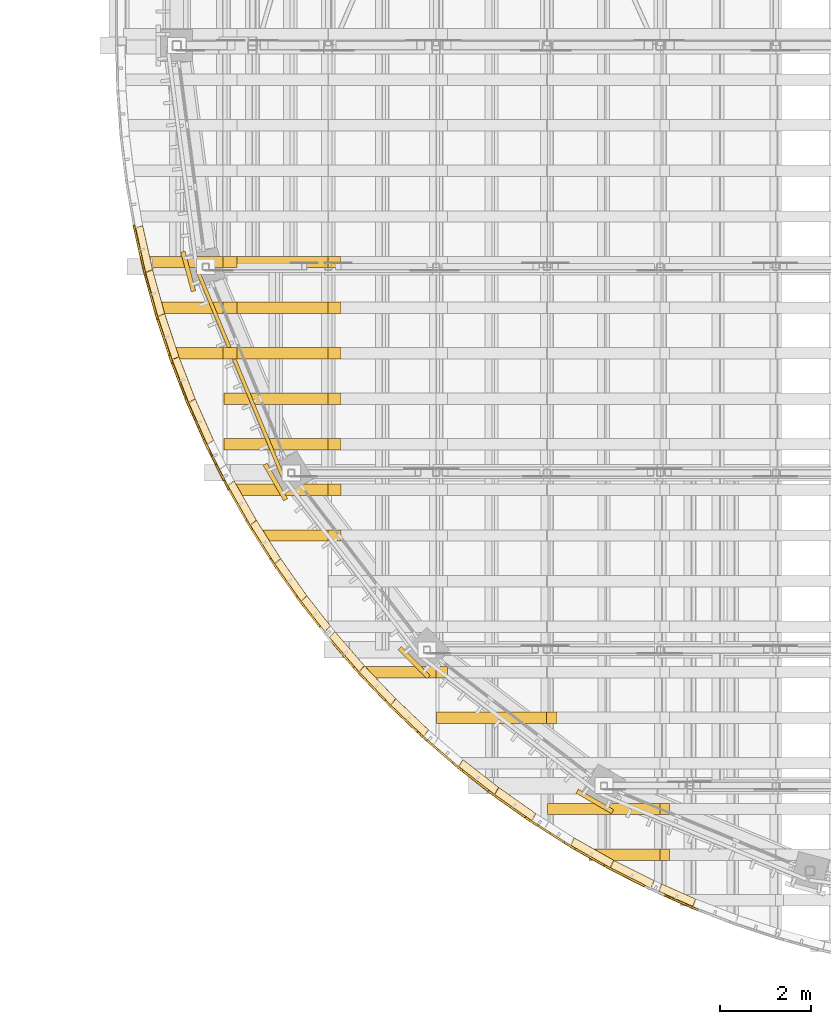
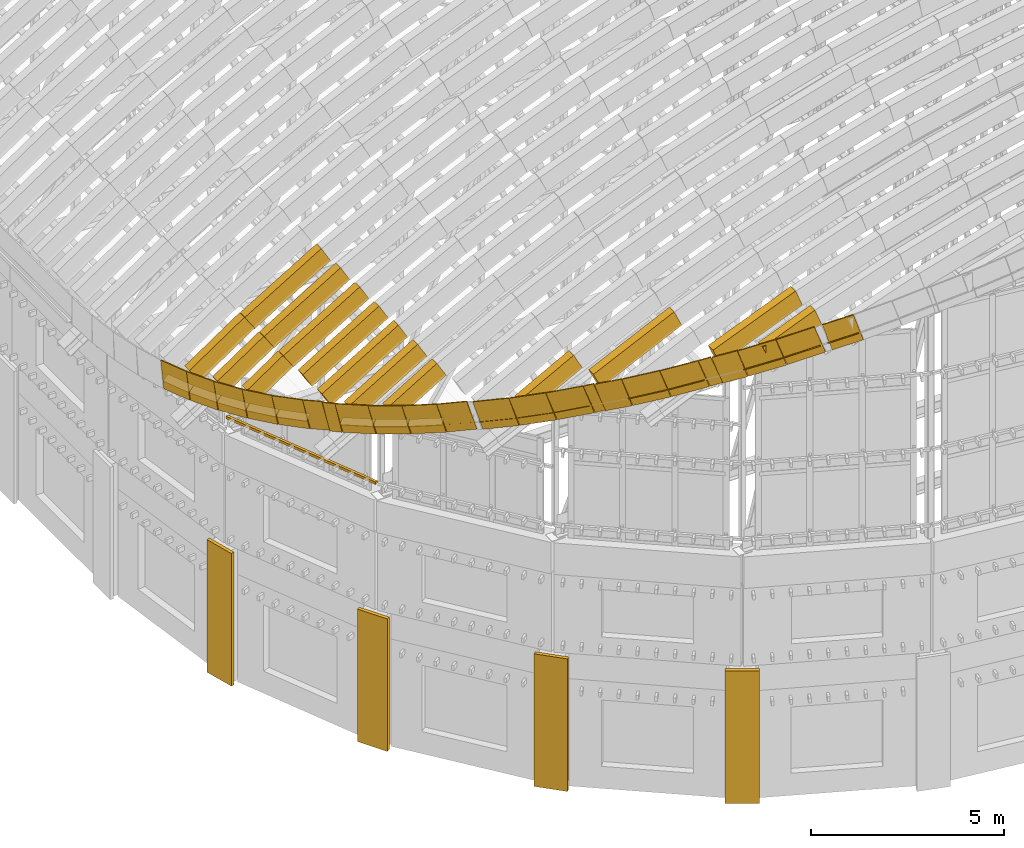
# One storey, part 83 of 105: 59 coverings.
"""IFC4 building model written with IfcOpenShell, lengths in metres."""

from ifc_helpers import new_model, si_unit, direction, frame, origin, origin_2d, place, context, subcontext, project, spatial, polyline, rectangle, outline, extrude, material, layer, layer_set, material_profile, profile_set, type_object, element, save


model = new_model("IFC4")

# Units and contexts
model_context = context("Model", 3, precision=1e-05, world=origin(), true_north=direction((0.0, 1.0)))
body_context = subcontext(model_context, "Body", "Model", "MODEL_VIEW")
ifc_project = project(units=[si_unit("LENGTHUNIT", "METRE"), si_unit("AREAUNIT", "SQUARE_METRE"), si_unit("VOLUMEUNIT", "CUBIC_METRE"), si_unit("PLANEANGLEUNIT", "RADIAN"), si_unit("MASSUNIT", "GRAM", prefix="KILO")], contexts=[model_context])

# Site, building, storey
site_placement = place(None, origin())
site = spatial("IfcSite", under=ifc_project, at=site_placement, CompositionType="ELEMENT")
building_placement = place(site_placement, origin())
building = spatial("IfcBuilding", under=site, at=building_placement, Name="Wasatch Bagh Community Centre", CompositionType="ELEMENT")
storey_placement = place(building_placement, frame((0.0, 0.0, 16.800048828125)))
storey = spatial("IfcBuildingStorey", under=building, at=storey_placement, Name="L04", CompositionType="ELEMENT", Elevation=16.800048828125)

# Coverings
ifc_material_1 = material(Name="White precast concrete C40/50", Category="concrete")
ifc_layer = layer(ifc_material_1, 0.10009765625)
ifc_layer_set = layer_set([ifc_layer], Name="White precast concrete C40/50")
covering_type_1 = type_object("IfcCoveringType", Name="MH column casing", PredefinedType="CLADDING", material=ifc_layer_set)
for number, where, z_axis, x_axis, name in (
    (1, (17.50244140625, 30.043701171875, 0.0), (0.0, 0.0, 1.0), (0.258819045103, -0.965925826289, 0.0), "Column casing S1 L04"),
    (2, (19.41552734375, 25.425048828125, 0.0), (0.0, 0.0, 1.0), (0.5, -0.866025403784, 0.0), "Column casing S2 L04"),
    (3, (22.458984375, 21.458984375, 0.0), (0.0, 0.0, 1.0), (0.707106781187, -0.707106781187, 0.0), "Column casing S3 L04"),
    (4, (26.425048828125, 18.41552734375, 0.0), (0.0, 0.0, 1.0), (0.866025403784, -0.5, 0.0), "Column casing S4 L04"),
):
    element("IfcCovering", number, at=place(storey_placement, frame(where, z_axis=z_axis, x_axis=x_axis)), inside=storey, type_object=covering_type_1, Name=name, PredefinedType="CLADDING", context=body_context, shape_type="SweptSolid", body=[
        extrude(rectangle(XDim=0.89990234375, YDim=0.10009765625, at=origin_2d()), origin(), (0.0, 0.0, 1.0), 4.199951171875),
    ])
ifc_material_2 = material(Name="ASTM A653 Grade 50 steel, zinc-aluminium coated", Category="steel")
ifc_material_profile_1 = material_profile(ifc_material_2, outline(polyline([(-0.080078125, 0.0029296875), (0.152099609375, 0.0029296875), (0.152099609375, -0.031982421875), (0.14892578125, -0.031982421875), (0.14892578125, 0.0), (-0.080078125, 0.0), (-0.080078125, 0.0029296875)])), Name="DRIP EDGE")
ifc_profile_set_1 = profile_set([ifc_material_profile_1], Name="ASTM A653 Grade 50 steel, zinc-aluminium coated")
covering_type_2 = type_object("IfcCoveringType", Name="MH drip edge", PredefinedType="CLADDING", material=ifc_profile_set_1)
covering_1_placement = place(storey_placement, frame((28.60888671875, 16.20068359375, 15.577392578125), z_axis=(-0.871019461366, 0.38601026244, -0.303843998151), x_axis=(-0.364460424626, -0.922494485848, -0.127171232836)))
element("IfcCovering", 5, at=covering_1_placement, inside=storey, type_object=covering_type_2, Name="Drip edge 49", PredefinedType="CLADDING", context=body_context, shape_type="SweptSolid", body=[
    extrude(outline(polyline([(-0.080078125, 0.0029296875), (0.152099609375, 0.0029296875), (0.152099609375, -0.031982421875), (0.14892578125, -0.031982421875), (0.14892578125, 0.0), (-0.080078125, 0.0), (-0.080078125, 0.0029296875)])), origin(), (0.0, 0.0, 1.0), 0.855712890625),
])
covering_2_placement = place(storey_placement, frame((27.69580078125, 16.60546875, 15.258544921875), z_axis=(-0.839190144001, 0.422603751502, -0.342295152504), x_axis=(-0.391326554379, -0.906314551576, -0.159553945233)))
element("IfcCovering", 6, at=covering_2_placement, inside=storey, type_object=covering_type_2, Name="Drip edge 51", PredefinedType="CLADDING", context=body_context, shape_type="SweptSolid", body=[
    extrude(outline(polyline([(-0.080078125, 0.0029296875), (0.152099609375, 0.0029296875), (0.152099609375, -0.031982421875), (0.14892578125, -0.031982421875), (0.14892578125, 0.0), (-0.080078125, 0.0), (-0.080078125, 0.0029296875)])), origin(), (0.0, 0.0, 1.0), 1.054931640625),
])
covering_3_placement = place(storey_placement, frame((26.8037109375, 17.0546875, 14.894775390625), z_axis=(-0.819855762659, 0.464708730703, -0.334488152319), x_axis=(-0.430320557646, -0.885463598865, -0.17543783159)))
element("IfcCovering", 7, at=covering_3_placement, inside=storey, type_object=covering_type_2, Name="Drip edge 52", PredefinedType="CLADDING", context=body_context, shape_type="SweptSolid", body=[
    extrude(outline(polyline([(-0.080078125, 0.0029296875), (0.152099609375, 0.0029296875), (0.152099609375, -0.031982421875), (0.14892578125, -0.031982421875), (0.14892578125, 0.0), (-0.080078125, 0.0), (-0.080078125, 0.0029296875)])), origin(), (0.0, 0.0, 1.0), 1.0517578125),
])
covering_4_placement = place(storey_placement, frame((25.091064453125, 18.081787109375, 14.189697265625), z_axis=(-0.763349348371, 0.537563486895, -0.358222374928), x_axis=(-0.486598613693, -0.843223273981, -0.228465094421)))
element("IfcCovering", 8, at=covering_4_placement, inside=storey, type_object=covering_type_2, Name="Drip edge 55", PredefinedType="CLADDING", context=body_context, shape_type="SweptSolid", body=[
    extrude(outline(polyline([(-0.080078125, 0.0029296875), (0.152099609375, 0.0029296875), (0.152099609375, -0.031982421875), (0.14892578125, -0.031982421875), (0.14892578125, 0.0), (-0.080078125, 0.0), (-0.080078125, 0.0029296875)])), origin(), (0.0, 0.0, 1.0), 1.061767578125),
])
covering_5_placement = place(storey_placement, frame((24.274658203125, 18.656982421875, 13.806396484375), z_axis=(-0.739329705294, 0.576958951523, -0.347145438006), x_axis=(-0.522263505148, -0.816773143481, -0.245198823975)))
element("IfcCovering", 9, at=covering_5_placement, inside=storey, type_object=covering_type_2, Name="Drip edge 56", PredefinedType="CLADDING", context=body_context, shape_type="SweptSolid", body=[
    extrude(outline(polyline([(-0.080078125, 0.0029296875), (0.152099609375, 0.0029296875), (0.152099609375, -0.031982421875), (0.14892578125, -0.031982421875), (0.14892578125, 0.0), (-0.080078125, 0.0), (-0.080078125, 0.0029296875)])), origin(), (0.0, 0.0, 1.0), 1.05712890625),
])
covering_6_placement = place(storey_placement, frame((22.73095703125, 19.92431640625, 13.0810546875), z_axis=(-0.675398221012, 0.643236400964, -0.360671839112), x_axis=(-0.567401447091, -0.765667638388, -0.302999447795)))
element("IfcCovering", 10, at=covering_6_placement, inside=storey, type_object=covering_type_2, Name="Drip edge 59", PredefinedType="CLADDING", context=body_context, shape_type="SweptSolid", body=[
    extrude(outline(polyline([(-0.080078125, 0.0029296875), (0.152099609375, 0.0029296875), (0.152099609375, -0.031982421875), (0.14892578125, -0.031982421875), (0.14892578125, 0.0), (-0.080078125, 0.0), (-0.080078125, 0.0029296875)])), origin(), (0.0, 0.0, 1.0), 1.062744140625),
])
covering_7_placement = place(storey_placement, frame((22.0078125, 20.613037109375, 12.69482421875), z_axis=(-0.647020682228, 0.679602795155, -0.345693907362), x_axis=(-0.599453853846, -0.733580286429, -0.32017970028)))
element("IfcCovering", 11, at=covering_7_placement, inside=storey, type_object=covering_type_2, Name="Drip edge 60", PredefinedType="CLADDING", context=body_context, shape_type="SweptSolid", body=[
    extrude(outline(polyline([(-0.080078125, 0.0029296875), (0.152099609375, 0.0029296875), (0.152099609375, -0.031982421875), (0.14892578125, -0.031982421875), (0.14892578125, 0.0), (-0.080078125, 0.0), (-0.080078125, 0.0029296875)])), origin(), (0.0, 0.0, 1.0), 1.056640625),
])
covering_8_placement = place(storey_placement, frame((21.319091796875, 21.336669921875, 12.326904296875), z_axis=(-0.616783616092, 0.714929425289, -0.329323378728), x_axis=(-0.630602149034, -0.699196616809, -0.336845692678)))
element("IfcCovering", 12, at=covering_8_placement, inside=storey, type_object=covering_type_2, Name="Drip edge 61", PredefinedType="CLADDING", context=body_context, shape_type="SweptSolid", body=[
    extrude(outline(polyline([(-0.080078125, 0.0029296875), (0.152099609375, 0.0029296875), (0.152099609375, -0.031982421875), (0.14892578125, -0.031982421875), (0.14892578125, 0.0), (-0.080078125, 0.0), (-0.080078125, 0.0029296875)])), origin(), (0.0, 0.0, 1.0), 1.0498046875),
])
covering_9_placement = place(storey_placement, frame((20.57275390625, 22.213623046875, 11.943359375), z_axis=(-0.576762454835, 0.739249983541, -0.347641384946), x_axis=(-0.633241255348, -0.673431096684, -0.381439471664)))
element("IfcCovering", 13, at=covering_9_placement, inside=storey, type_object=covering_type_2, Name="Drip edge 63", PredefinedType="CLADDING", context=body_context, shape_type="SweptSolid", body=[
    extrude(outline(polyline([(-0.080078125, 0.0029296875), (0.152099609375, 0.0029296875), (0.152099609375, -0.031982421875), (0.14892578125, -0.031982421875), (0.14892578125, 0.0), (-0.080078125, 0.0), (-0.080078125, 0.0029296875)])), origin(), (0.0, 0.0, 1.0), 0.89404296875),
])
covering_10_placement = place(storey_placement, frame((20.052490234375, 22.880615234375, 11.6298828125), z_axis=(-0.543998914386, 0.77248776551, -0.327609269228), x_axis=(-0.661695546151, -0.635029642781, -0.398618059041)))
element("IfcCovering", 14, at=covering_10_placement, inside=storey, type_object=covering_type_2, Name="Drip edge 64", PredefinedType="CLADDING", context=body_context, shape_type="SweptSolid", body=[
    extrude(outline(polyline([(-0.080078125, 0.0029296875), (0.152099609375, 0.0029296875), (0.152099609375, -0.031982421875), (0.14892578125, -0.031982421875), (0.14892578125, 0.0), (-0.080078125, 0.0), (-0.080078125, 0.0029296875)])), origin(), (0.0, 0.0, 1.0), 1.04931640625),
])
covering_11_placement = place(storey_placement, frame((19.4775390625, 23.697265625, 11.283447265625), z_axis=(-0.509121729554, 0.80423418697, -0.306598168626), x_axis=(-0.68890307338, -0.594312518181, -0.414976127291)))
element("IfcCovering", 15, at=covering_11_placement, inside=storey, type_object=covering_type_2, Name="Drip edge 65", PredefinedType="CLADDING", context=body_context, shape_type="SweptSolid", body=[
    extrude(outline(polyline([(-0.080078125, 0.0029296875), (0.152099609375, 0.0029296875), (0.152099609375, -0.031982421875), (0.14892578125, -0.031982421875), (0.14892578125, 0.0), (-0.080078125, 0.0), (-0.080078125, 0.0029296875)])), origin(), (0.0, 0.0, 1.0), 1.04150390625),
])
covering_12_placement = place(storey_placement, frame((18.943359375, 24.541259765625, 10.961669921875), z_axis=(-0.472453082289, 0.834171284221, -0.284510726716), x_axis=(-0.714537823798, -0.551505452288, -0.430438653537)))
element("IfcCovering", 16, at=covering_12_placement, inside=storey, type_object=covering_type_2, Name="Drip edge 66", PredefinedType="CLADDING", context=body_context, shape_type="SweptSolid", body=[
    extrude(outline(polyline([(-0.080078125, 0.0029296875), (0.152099609375, 0.0029296875), (0.152099609375, -0.031982421875), (0.14892578125, -0.031982421875), (0.14892578125, 0.0), (-0.080078125, 0.0), (-0.080078125, 0.0029296875)])), origin(), (0.0, 0.0, 1.0), 1.033935546875),
])
covering_13_placement = place(storey_placement, frame((18.002197265625, 26.302734375, 10.392578125), z_axis=(-0.390789372223, 0.881829878232, -0.263931302456), x_axis=(-0.730866106254, -0.471567662093, -0.493415316743)))
element("IfcCovering", 17, at=covering_13_placement, inside=storey, type_object=covering_type_2, Name="Drip edge 69", PredefinedType="CLADDING", context=body_context, shape_type="SweptSolid", body=[
    extrude(outline(polyline([(-0.080078125, 0.0029296875), (0.152099609375, 0.0029296875), (0.152099609375, -0.031982421875), (0.14892578125, -0.031982421875), (0.14892578125, 0.0), (-0.080078125, 0.0), (-0.080078125, 0.0029296875)])), origin(), (0.0, 0.0, 1.0), 1.027587890625),
])
covering_14_placement = place(storey_placement, frame((17.59765625, 27.216064453125, 10.119384765625), z_axis=(-0.349764976369, 0.906611886044, -0.23604946386), x_axis=(-0.751385496628, -0.421965499017, -0.507311495135)))
element("IfcCovering", 18, at=covering_14_placement, inside=storey, type_object=covering_type_2, Name="Drip edge 70", PredefinedType="CLADDING", context=body_context, shape_type="SweptSolid", body=[
    extrude(outline(polyline([(-0.080078125, 0.0029296875), (0.152099609375, 0.0029296875), (0.152099609375, -0.031982421875), (0.14892578125, -0.031982421875), (0.14892578125, 0.0), (-0.080078125, 0.0), (-0.080078125, 0.0029296875)])), origin(), (0.0, 0.0, 1.0), 1.019775390625),
])
covering_15_placement = place(storey_placement, frame((17.23828125, 28.14794921875, 9.876708984375), z_axis=(-0.30677428669, 0.928998330863, -0.207006372558), x_axis=(-0.769959125966, -0.370083902998, -0.519808473462)))
element("IfcCovering", 19, at=covering_15_placement, inside=storey, type_object=covering_type_2, Name="Drip edge 71", PredefinedType="CLADDING", context=body_context, shape_type="SweptSolid", body=[
    extrude(outline(polyline([(-0.080078125, 0.0029296875), (0.152099609375, 0.0029296875), (0.152099609375, -0.031982421875), (0.14892578125, -0.031982421875), (0.14892578125, 0.0), (-0.080078125, 0.0), (-0.080078125, 0.0029296875)])), origin(), (0.0, 0.0, 1.0), 1.01318359375),
])
covering_16_placement = place(storey_placement, frame((16.92529296875, 29.096435546875, 9.665283203125), z_axis=(-0.262581189237, 0.948492716802, -0.177236241304), x_axis=(-0.78609227934, -0.316798933807, -0.53075169703)))
element("IfcCovering", 20, at=covering_16_placement, inside=storey, type_object=covering_type_2, Name="Drip edge 72", PredefinedType="CLADDING", context=body_context, shape_type="SweptSolid", body=[
    extrude(outline(polyline([(-0.080078125, 0.0029296875), (0.152099609375, 0.0029296875), (0.152099609375, -0.031982421875), (0.14892578125, -0.031982421875), (0.14892578125, 0.0), (-0.080078125, 0.0), (-0.080078125, 0.0029296875)])), origin(), (0.0, 0.0, 1.0), 1.0068359375),
])
covering_17_placement = place(storey_placement, frame((16.658935546875, 30.059326171875, 9.485595703125), z_axis=(-0.21668802883, 0.965224515374, -0.146246138693), x_axis=(-0.799973820931, -0.261422327726, -0.540092818312)))
element("IfcCovering", 21, at=covering_17_placement, inside=storey, type_object=covering_type_2, Name="Drip edge 73", PredefinedType="CLADDING", context=body_context, shape_type="SweptSolid", body=[
    extrude(outline(polyline([(-0.080078125, 0.0029296875), (0.152099609375, 0.0029296875), (0.152099609375, -0.031982421875), (0.14892578125, -0.031982421875), (0.14892578125, 0.0), (-0.080078125, 0.0), (-0.080078125, 0.0029296875)])), origin(), (0.0, 0.0, 1.0), 1.001708984375),
])
ifc_material_profile_2 = material_profile(ifc_material_2, rectangle(XDim=0.0400390625, YDim=0.85009765625, at=origin_2d()), Name="FASCIA 40x850")
ifc_profile_set_2 = profile_set([ifc_material_profile_2], Name="ASTM A653 Grade 50 steel, zinc-aluminium coated")
covering_type_3 = type_object("IfcCoveringType", Name="MH eave fascia 40x850", PredefinedType="CLADDING", material=ifc_profile_set_2)
covering_18_placement = place(storey_placement, frame((28.560302734375, 16.0908203125, 15.722412109375), z_axis=(-0.870992382029, 0.386157067868, -0.30373506446), x_axis=(-0.405305085414, -0.914181485121, 0.0)))
element("IfcCovering", 22, at=covering_18_placement, inside=storey, type_object=covering_type_3, Name="Eave fascia 49", PredefinedType="CLADDING", context=body_context, shape_type="SweptSolid", body=[
    extrude(rectangle(XDim=0.0400390625, YDim=0.85009765625, at=origin_2d()), origin(), (0.0, 0.0, 1.0), 0.85595703125),
])
covering_19_placement = place(storey_placement, frame((27.641845703125, 16.498291015625, 15.4091796875), z_axis=(-0.839190144001, 0.422603751502, -0.342295152504), x_axis=(-0.449773450164, -0.893142678147, 0.0)))
element("IfcCovering", 23, at=covering_19_placement, inside=storey, type_object=covering_type_3, Name="Eave fascia 51", PredefinedType="CLADDING", context=body_context, shape_type="SweptSolid", body=[
    extrude(rectangle(XDim=0.0400390625, YDim=0.85009765625, at=origin_2d()), origin(), (0.0, 0.0, 1.0), 1.054931640625),
])
covering_20_placement = place(storey_placement, frame((26.74462890625, 16.950439453125, 15.044189453125), z_axis=(-0.820020243069, 0.464438297872, -0.334460563335), x_axis=(-0.492819921763, -0.870131326131, 0.0)))
element("IfcCovering", 24, at=covering_20_placement, inside=storey, type_object=covering_type_3, Name="Eave fascia 52", PredefinedType="CLADDING", context=body_context, shape_type="SweptSolid", body=[
    extrude(rectangle(XDim=0.0400390625, YDim=0.85009765625, at=origin_2d()), origin(), (0.0, 0.0, 1.0), 1.0517578125),
])
covering_21_placement = place(storey_placement, frame((25.87060546875, 17.44580078125, 14.6884765625), z_axis=(-0.798752937949, 0.505818600093, -0.325793320861), x_axis=(-0.535008099166, -0.844846929229, 0.0)))
element("IfcCovering", 25, at=covering_21_placement, inside=storey, type_object=covering_type_3, Name="Eave fascia 53", PredefinedType="CLADDING", context=body_context, shape_type="SweptSolid", body=[
    extrude(rectangle(XDim=0.0400390625, YDim=0.85009765625, at=origin_2d()), origin(), (0.0, 0.0, 1.0), 0.698486328125),
])
covering_22_placement = place(storey_placement, frame((25.306396484375, 17.802978515625, 14.47607421875), z_axis=(-0.784816502415, 0.497962213329, -0.368912851001), x_axis=(-0.535752023515, -0.844375372272, 0.0)))
element("IfcCovering", 26, at=covering_22_placement, inside=storey, type_object=covering_type_3, Name="Eave fascia 54", PredefinedType="CLADDING", context=body_context, shape_type="SweptSolid", body=[
    extrude(rectangle(XDim=0.0400390625, YDim=0.85009765625, at=origin_2d()), origin(), (0.0, 0.0, 1.0), 0.34814453125),
])
covering_23_placement = place(storey_placement, frame((25.02197265625, 17.983642578125, 14.343017578125), z_axis=(-0.763286463382, 0.537519202225, -0.358422770004), x_axis=(-0.575773981963, -0.817608905097, 0.0)))
element("IfcCovering", 27, at=covering_23_placement, inside=storey, type_object=covering_type_3, Name="Eave fascia 55", PredefinedType="CLADDING", context=body_context, shape_type="SweptSolid", body=[
    extrude(rectangle(XDim=0.0400390625, YDim=0.85009765625, at=origin_2d()), origin(), (0.0, 0.0, 1.0), 1.06201171875),
])
covering_24_placement = place(storey_placement, frame((24.20068359375, 18.5625, 13.9580078125), z_axis=(-0.739329705294, 0.576958951523, -0.347145438006), x_axis=(-0.615218592579, -0.788356571195, 0.0)))
element("IfcCovering", 28, at=covering_24_placement, inside=storey, type_object=covering_type_3, Name="Eave fascia 56", PredefinedType="CLADDING", context=body_context, shape_type="SweptSolid", body=[
    extrude(rectangle(XDim=0.0400390625, YDim=0.85009765625, at=origin_2d()), origin(), (0.0, 0.0, 1.0), 1.05712890625),
])
covering_25_placement = place(storey_placement, frame((23.408935546875, 19.180908203125, 13.58642578125), z_axis=(-0.71357096409, 0.61535835396, -0.334888900114), x_axis=(-0.653068057142, -0.757299222725, 0.0)))
element("IfcCovering", 29, at=covering_25_placement, inside=storey, type_object=covering_type_3, Name="Eave fascia 57", PredefinedType="CLADDING", context=body_context, shape_type="SweptSolid", body=[
    extrude(rectangle(XDim=0.0400390625, YDim=0.85009765625, at=origin_2d()), origin(), (0.0, 0.0, 1.0), 0.75830078125),
])
covering_26_placement = place(storey_placement, frame((22.8623046875, 19.65234375, 13.34912109375), z_axis=(-0.701915068317, 0.605359765857, -0.375306262605), x_axis=(-0.653100876509, -0.757270919225, 0.0)))
element("IfcCovering", 30, at=covering_26_placement, inside=storey, type_object=covering_type_3, Name="Eave fascia 58", PredefinedType="CLADDING", context=body_context, shape_type="SweptSolid", body=[
    extrude(rectangle(XDim=0.0400390625, YDim=0.85009765625, at=origin_2d()), origin(), (0.0, 0.0, 1.0), 0.290771484375),
])
covering_27_placement = place(storey_placement, frame((22.6484375, 19.83740234375, 13.23486328125), z_axis=(-0.675467161442, 0.643083322692, -0.360815678553), x_axis=(-0.689532178131, -0.72425504853, 0.0)))
element("IfcCovering", 31, at=covering_27_placement, inside=storey, type_object=covering_type_3, Name="Eave fascia 59", PredefinedType="CLADDING", context=body_context, shape_type="SweptSolid", body=[
    extrude(rectangle(XDim=0.0400390625, YDim=0.85009765625, at=origin_2d()), origin(), (0.0, 0.0, 1.0), 1.06298828125),
])
covering_28_placement = place(storey_placement, frame((21.9208984375, 20.5302734375, 12.845947265625), z_axis=(-0.647072356798, 0.679657071908, -0.345490419076), x_axis=(-0.72425504853, -0.689532178131, 0.0)))
element("IfcCovering", 32, at=covering_28_placement, inside=storey, type_object=covering_type_3, Name="Eave fascia 60", PredefinedType="CLADDING", context=body_context, shape_type="SweptSolid", body=[
    extrude(rectangle(XDim=0.0400390625, YDim=0.85009765625, at=origin_2d()), origin(), (0.0, 0.0, 1.0), 1.056396484375),
])
covering_29_placement = place(storey_placement, frame((21.228271484375, 21.25830078125, 12.475830078125), z_axis=(-0.616736364318, 0.714874654568, -0.329530704464), x_axis=(-0.757166284111, -0.653222181348, 0.0)))
element("IfcCovering", 33, at=covering_29_placement, inside=storey, type_object=covering_type_3, Name="Eave fascia 61", PredefinedType="CLADDING", context=body_context, shape_type="SweptSolid", body=[
    extrude(rectangle(XDim=0.0400390625, YDim=0.85009765625, at=origin_2d()), origin(), (0.0, 0.0, 1.0), 1.0498046875),
])
covering_30_placement = place(storey_placement, frame((20.478271484375, 22.139892578125, 12.094970703125), z_axis=(-0.576944655902, 0.739133546393, -0.347586628946), x_axis=(-0.788284778315, -0.615310578714, 0.0)))
element("IfcCovering", 34, at=covering_30_placement, inside=storey, type_object=covering_type_3, Name="Eave fascia 63", PredefinedType="CLADDING", context=body_context, shape_type="SweptSolid", body=[
    extrude(rectangle(XDim=0.0400390625, YDim=0.85009765625, at=origin_2d()), origin(), (0.0, 0.0, 1.0), 0.89404296875),
])
covering_31_placement = place(storey_placement, frame((19.954345703125, 22.8115234375, 11.7783203125), z_axis=(-0.543998914386, 0.77248776551, -0.327609269228), x_axis=(-0.817608905097, -0.575773981963, 0.0)))
element("IfcCovering", 35, at=covering_31_placement, inside=storey, type_object=covering_type_3, Name="Eave fascia 64", PredefinedType="CLADDING", context=body_context, shape_type="SweptSolid", body=[
    extrude(rectangle(XDim=0.0400390625, YDim=0.85009765625, at=origin_2d()), origin(), (0.0, 0.0, 1.0), 1.04931640625),
])
covering_32_placement = place(storey_placement, frame((19.376220703125, 23.633056640625, 11.428955078125), z_axis=(-0.509121729554, 0.80423418697, -0.306598168626), x_axis=(-0.844926664054, -0.53488216681, 0.0)))
element("IfcCovering", 36, at=covering_32_placement, inside=storey, type_object=covering_type_3, Name="Eave fascia 65", PredefinedType="CLADDING", context=body_context, shape_type="SweptSolid", body=[
    extrude(rectangle(XDim=0.0400390625, YDim=0.85009765625, at=origin_2d()), origin(), (0.0, 0.0, 1.0), 1.04150390625),
])
covering_33_placement = place(storey_placement, frame((18.8388671875, 24.482177734375, 11.104248046875), z_axis=(-0.472546148571, 0.834099448651, -0.284566771128), x_axis=(-0.870071490855, -0.492925553001, 0.0)))
element("IfcCovering", 37, at=covering_33_placement, inside=storey, type_object=covering_type_3, Name="Eave fascia 66", PredefinedType="CLADDING", context=body_context, shape_type="SweptSolid", body=[
    extrude(rectangle(XDim=0.0400390625, YDim=0.85009765625, at=origin_2d()), origin(), (0.0, 0.0, 1.0), 1.033935546875),
])
covering_34_placement = place(storey_placement, frame((18.343994140625, 25.356689453125, 10.804931640625), z_axis=(-0.433824960288, 0.862173869184, -0.261633566513), x_axis=(-0.893289575547, -0.449481628345, 0.0)))
element("IfcCovering", 38, at=covering_34_placement, inside=storey, type_object=covering_type_3, Name="Eave fascia 67", PredefinedType="CLADDING", context=body_context, shape_type="SweptSolid", body=[
    extrude(rectangle(XDim=0.0400390625, YDim=0.85009765625, at=origin_2d()), origin(), (0.0, 0.0, 1.0), 0.4013671875),
])
covering_35_placement = place(storey_placement, frame((18.166259765625, 25.70947265625, 10.718994140625), z_axis=(-0.429972933929, 0.854850473017, -0.290437505963), x_axis=(-0.893359668549, -0.449342300045, 0.0)))
element("IfcCovering", 39, at=covering_35_placement, inside=storey, type_object=covering_type_3, Name="Eave fascia 68", PredefinedType="CLADDING", context=body_context, shape_type="SweptSolid", body=[
    extrude(rectangle(XDim=0.0400390625, YDim=0.85009765625, at=origin_2d()), origin(), (0.0, 0.0, 1.0), 0.622802734375),
])
covering_36_placement = place(storey_placement, frame((17.892578125, 26.254150390625, 10.53271484375), z_axis=(-0.390871253078, 0.88177703354, -0.263986603143), x_axis=(-0.914207306635, -0.405246838969, 0.0)))
element("IfcCovering", 40, at=covering_36_placement, inside=storey, type_object=covering_type_3, Name="Eave fascia 69", PredefinedType="CLADDING", context=body_context, shape_type="SweptSolid", body=[
    extrude(rectangle(XDim=0.0400390625, YDim=0.85009765625, at=origin_2d()), origin(), (0.0, 0.0, 1.0), 1.027587890625),
])
covering_37_placement = place(storey_placement, frame((17.485595703125, 27.1728515625, 10.25634765625), z_axis=(-0.349764976369, 0.906611886044, -0.23604946386), x_axis=(-0.932976840398, -0.359936404495, 0.0)))
element("IfcCovering", 41, at=covering_37_placement, inside=storey, type_object=covering_type_3, Name="Eave fascia 70", PredefinedType="CLADDING", context=body_context, shape_type="SweptSolid", body=[
    extrude(rectangle(XDim=0.0400390625, YDim=0.85009765625, at=origin_2d()), origin(), (0.0, 0.0, 1.0), 1.019775390625),
])
covering_38_placement = place(storey_placement, frame((17.12451171875, 28.1103515625, 10.010986328125), z_axis=(-0.307045970213, 0.928850211303, -0.207268080364), x_axis=(-0.94946869976, -0.313861734171, 0.0)))
element("IfcCovering", 42, at=covering_38_placement, inside=storey, type_object=covering_type_3, Name="Eave fascia 71", PredefinedType="CLADDING", context=body_context, shape_type="SweptSolid", body=[
    extrude(rectangle(XDim=0.0400390625, YDim=0.85009765625, at=origin_2d()), origin(), (0.0, 0.0, 1.0), 1.012939453125),
])
covering_39_placement = place(storey_placement, frame((16.8095703125, 29.064453125, 9.797119140625), z_axis=(-0.262581189237, 0.948492716802, -0.177236241304), x_axis=(-0.963750490163, -0.266805158703, 0.0)))
element("IfcCovering", 43, at=covering_39_placement, inside=storey, type_object=covering_type_3, Name="Eave fascia 72", PredefinedType="CLADDING", context=body_context, shape_type="SweptSolid", body=[
    extrude(rectangle(XDim=0.0400390625, YDim=0.85009765625, at=origin_2d()), origin(), (0.0, 0.0, 1.0), 1.0068359375),
])
covering_40_placement = place(storey_placement, frame((16.5419921875, 30.032958984375, 9.615234375), z_axis=(-0.216912571649, 0.965139082844, -0.146476916361), x_axis=(-0.975662492095, -0.219277681304, 0.0)))
element("IfcCovering", 44, at=covering_40_placement, inside=storey, type_object=covering_type_3, Name="Eave fascia 73", PredefinedType="CLADDING", context=body_context, shape_type="SweptSolid", body=[
    extrude(rectangle(XDim=0.0400390625, YDim=0.85009765625, at=origin_2d()), origin(), (0.0, 0.0, 1.0), 1.001708984375),
])
ifc_material_3 = material(Name="Aluminium extrusion", Category="aluminium")
ifc_material_profile_3 = material_profile(ifc_material_3, rectangle(XDim=0.080078125, YDim=0.080078125, at=origin_2d()), Name="AL 80x80")
ifc_profile_set_3 = profile_set([ifc_material_profile_3], Name="Aluminium extrusion")
covering_type_4 = type_object("IfcCoveringType", Name="MH fin rail 80x80", PredefinedType="CLADDING", material=ifc_profile_set_3)
covering_41_placement = place(storey_placement, frame((17.7041015625, 30.070556640625, 8.199951171875), z_axis=(0.382680724471, -0.923880654153, 0.0), x_axis=(0.923880654153, 0.382680724471, 0.0)))
element("IfcCovering", 45, at=covering_41_placement, inside=storey, type_object=covering_type_4, Name="Fin rail 2.1", PredefinedType="CLADDING", context=body_context, shape_type="SweptSolid", body=[
    extrude(rectangle(XDim=0.080078125, YDim=0.080078125, at=origin_2d()), origin(), (0.0, 0.0, 1.0), 4.89453125),
])
covering_type_5 = type_object("IfcCoveringType", Name="MH roll-over fin rib", PredefinedType="ROOFING", material=ifc_material_2)
covering_42_placement = place(storey_placement, frame((17.195068359375, 28.125, 10.3974609375), z_axis=(-0.559608900068, 0.0, 0.828756827401), x_axis=(0.828756827401, 0.0, 0.559608900068)))
element("IfcCovering", 46, at=covering_42_placement, inside=storey, type_object=covering_type_5, Name="Seam rib 1.3", PredefinedType="ROOFING", context=body_context, shape_type="SweptSolid", body=[
    extrude(outline(polyline([(0.0, 0.0), (1.294413355982463, 0.0), (1.294413355982463, 0.25), (0.0, 0.25), (0.0, 0.0)])), origin(), (0.0, 0.0, -1.0), 0.550048828125),
])
covering_43_placement = place(storey_placement, frame((16.879150390625, 29.125, 10.184326171875), z_axis=(-0.55953291503, 0.0, 0.828808130388), x_axis=(0.828808130388, 0.0, 0.55953291503)))
element("IfcCovering", 47, at=covering_43_placement, inside=storey, type_object=covering_type_5, Name="Seam rib 1.4", PredefinedType="ROOFING", context=body_context, shape_type="SweptSolid", body=[
    extrude(outline(polyline([(0.0, 0.0), (1.675504648282426, 0.0), (1.675504648282426, 0.25), (0.0, 0.25), (0.0, 0.0)])), origin(), (0.0, 0.0, -1.0), 0.550048828125),
])
covering_44_placement = place(storey_placement, frame((16.618896484375, 30.125, 10.008544921875), z_axis=(-0.559561367993, 0.0, 0.828788920926), x_axis=(0.828788920926, 0.0, 0.559561367993)))
element("IfcCovering", 48, at=covering_44_placement, inside=storey, type_object=covering_type_5, Name="Seam rib 1.5", PredefinedType="ROOFING", context=body_context, shape_type="SweptSolid", body=[
    extrude(outline(polyline([(0.0, 0.0), (1.9895605981403248, 0.0), (1.9895605981403248, 0.25), (0.0, 0.25), (0.0, 0.0)])), origin(), (0.0, 0.0, -1.0), 0.550048828125),
])
covering_45_placement = place(storey_placement, frame((19.083984375, 24.125, 11.596435546875), z_axis=(-0.516028832261, 0.0, 0.85657121378), x_axis=(0.85657121378, 0.0, 0.516028832261)))
element("IfcCovering", 49, at=covering_45_placement, inside=storey, type_object=covering_type_5, Name="Seam rib 2.2", PredefinedType="ROOFING", context=body_context, shape_type="SweptSolid", body=[
    extrude(outline(polyline([(0.0, 0.0), (1.73207148951278, 0.0), (1.73207148951278, 0.25), (0.0, 0.25), (0.0, 0.0)])), origin(), (0.0, 0.0, -1.0), 0.550048828125),
])
covering_46_placement = place(storey_placement, frame((18.505615234375, 25.125, 11.248046875), z_axis=(-0.516016219995, 0.0, 0.856578811729), x_axis=(0.856578811729, 0.0, 0.516016219995)))
element("IfcCovering", 50, at=covering_46_placement, inside=storey, type_object=covering_type_5, Name="Seam rib 2.3", PredefinedType="ROOFING", context=body_context, shape_type="SweptSolid", body=[
    extrude(outline(polyline([(0.0, 0.0), (2.407264446091991, 0.0), (2.407264446091991, 0.25), (0.0, 0.25), (0.0, 0.0)])), origin(), (0.0, 0.0, -1.0), 0.550048828125),
])
for number, where, z_axis, x_axis, name in (
    (51, (18.282958984375, 26.125, 11.11376953125), (-0.5160563274, 0.0, 0.856554649132), (0.856554649132, 0.0, 0.5160563274), "Seam rib 2.4"),
    (52, (18.282958984375, 27.125, 11.11376953125), (-0.5160563274, 0.0, 0.856554649132), (0.856554649132, 0.0, 0.5160563274), "Seam rib 2.5"),
    (53, (18.282958984375, 28.125, 11.11376953125), (-0.5160563274, 0.0, 0.856554649132), (0.856554649132, 0.0, 0.5160563274), "Seam rib 2.6"),
    (54, (18.282958984375, 29.125, 11.11376953125), (-0.5160563274, 0.0, 0.856554649132), (0.856554649132, 0.0, 0.5160563274), "Seam rib 2.7"),
    (55, (18.282958984375, 30.125, 11.11376953125), (-0.5160563274, 0.0, 0.856554649132), (0.856554649132, 0.0, 0.5160563274), "Seam rib 2.8"),
):
    element("IfcCovering", number, at=place(storey_placement, frame(where, z_axis=z_axis, x_axis=x_axis)), inside=storey, type_object=covering_type_5, Name=name, PredefinedType="ROOFING", context=body_context, shape_type="SweptSolid", body=[
        extrude(outline(polyline([(0.0, 0.0), (2.667276362417656, 0.0), (2.667276362417656, 0.25), (0.0, 0.25), (0.0, 0.0)])), origin(), (0.0, 0.0, -1.0), 0.550048828125),
    ])
covering_47_placement = place(storey_placement, frame((21.32568359375, 21.125, 12.880615234375), z_axis=(-0.471074113654, 0.0, 0.882093634171), x_axis=(0.882093634171, 0.0, 0.471074113654)))
element("IfcCovering", 56, at=covering_47_placement, inside=storey, type_object=covering_type_5, Name="Seam rib 3.2", PredefinedType="ROOFING", context=body_context, shape_type="SweptSolid", body=[
    extrude(outline(polyline([(0.0, 0.0), (1.8253248402459699, 0.0), (1.8253248402459699, 0.25), (0.0, 0.25), (0.0, 0.0)])), origin(), (0.0, 0.0, -1.0), 0.550048828125),
])
covering_48_placement = place(storey_placement, frame((22.951171875, 20.125, 13.735107421875), z_axis=(-0.425003555099, 0.0, 0.905191680338), x_axis=(0.905191680338, 0.0, 0.425003555099)))
element("IfcCovering", 57, at=covering_48_placement, inside=storey, type_object=covering_type_5, Name="Seam rib 4.3", PredefinedType="ROOFING", context=body_context, shape_type="SweptSolid", body=[
    extrude(outline(polyline([(0.0, 0.0), (2.667716655298669, 0.0), (2.667716655298669, 0.25), (0.0, 0.25), (0.0, 0.0)])), origin(), (0.0, 0.0, -1.0), 0.550048828125),
])
covering_49_placement = place(storey_placement, frame((26.29931640625, 17.125, 15.239013671875), z_axis=(-0.377657576574, 0.0, 0.925945330382), x_axis=(0.925945330382, 0.0, 0.377657576574)))
element("IfcCovering", 58, at=covering_49_placement, inside=storey, type_object=covering_type_5, Name="Seam rib 5.1", PredefinedType="ROOFING", context=body_context, shape_type="SweptSolid", body=[
    extrude(outline(polyline([(0.0, 0.0), (1.6769179821441778, 0.0), (1.6769179821441778, 0.25), (0.0, 0.25), (0.0, 0.0)])), origin(), (0.0, 0.0, -1.0), 0.550048828125),
])
covering_50_placement = place(storey_placement, frame((25.381591796875, 18.125, 14.864501953125), z_axis=(-0.377724112036, 0.0, 0.925918190332), x_axis=(0.925918190332, 0.0, 0.377724112036)))
element("IfcCovering", 59, at=covering_50_placement, inside=storey, type_object=covering_type_5, Name="Seam rib 5.2", PredefinedType="ROOFING", context=body_context, shape_type="SweptSolid", body=[
    extrude(outline(polyline([(0.0, 0.0), (2.6681179937617836, 0.0), (2.6681179937617836, 0.25), (0.0, 0.25), (0.0, 0.0)])), origin(), (0.0, 0.0, -1.0), 0.550048828125),
])

save(model, "model.ifc")
